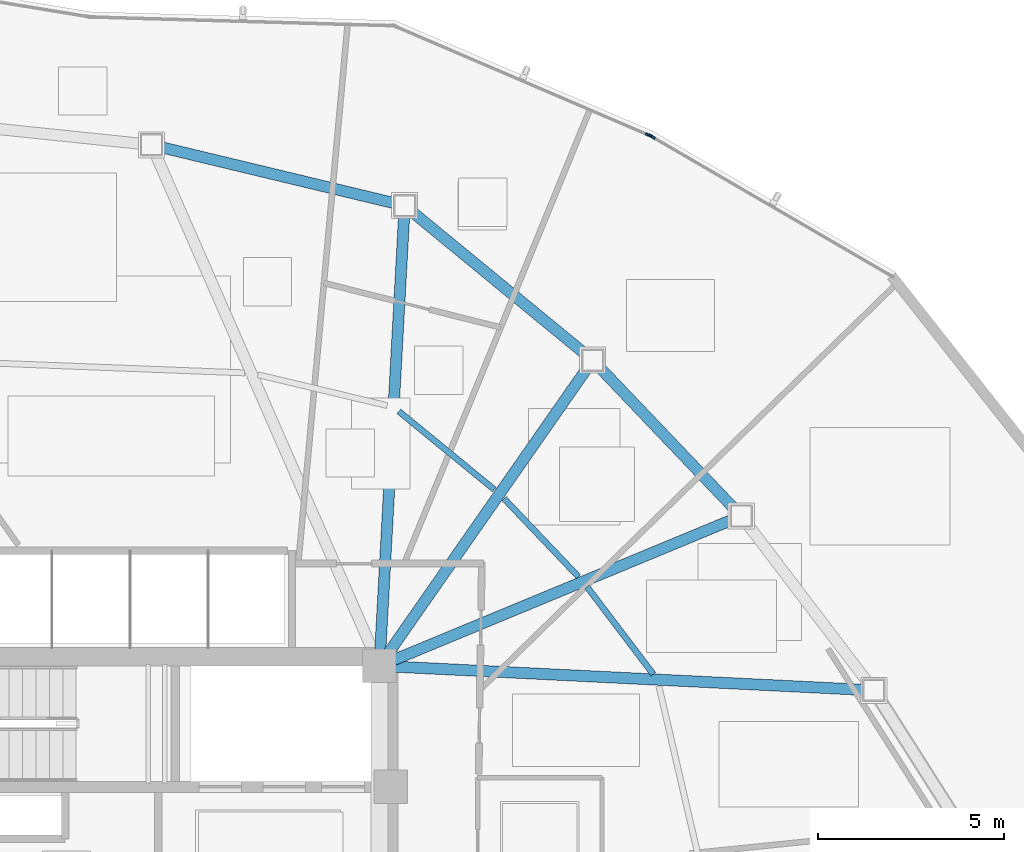
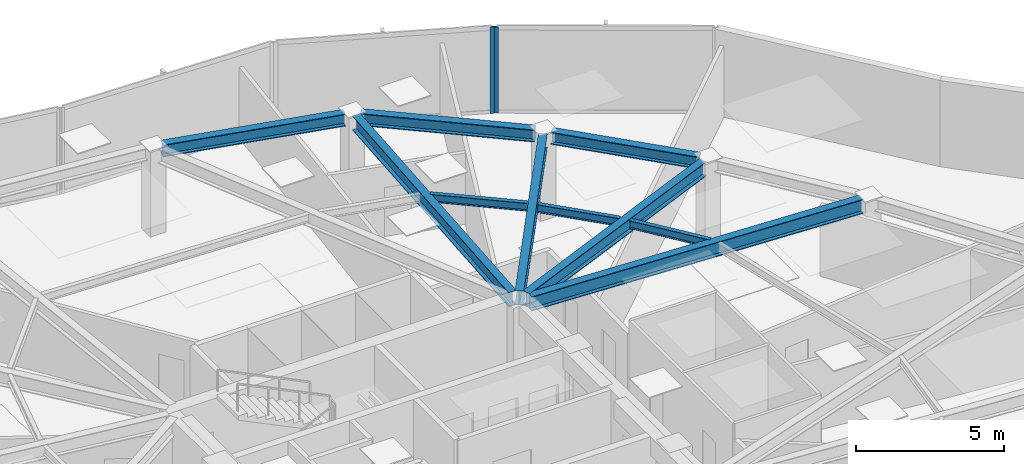
# One storey, part 8 of 18: 10 beams, 2 members, 2 elements without a shape of their own.
"""IFC4 building model written with IfcOpenShell, lengths in metres."""

from ifc_helpers import new_model, si_unit, direction, frame, origin, origin_2d, place, context, subcontext, project, spatial, hollow_rectangle, i_section, extrude, source, transform, mapped, material, layer, layer_set, material_profile, profile_set, type_object, type_shapes, element, aggregate, save


model = new_model("IFC4")

# Units and contexts
model_context = context("Model", 3, precision=1e-05, world=origin(), true_north=direction((0.0, 1.0)))
body_context = subcontext(model_context, "Body", "Model", "MODEL_VIEW")
ifc_project = project(units=[si_unit("LENGTHUNIT", "METRE"), si_unit("AREAUNIT", "SQUARE_METRE"), si_unit("VOLUMEUNIT", "CUBIC_METRE"), si_unit("PLANEANGLEUNIT", "RADIAN"), si_unit("MASSUNIT", "GRAM", prefix="KILO")], contexts=[model_context])

# Site, building, storey
site_placement = place(None, origin())
site = spatial("IfcSite", under=ifc_project, at=site_placement, CompositionType="ELEMENT")
building_placement = place(site_placement, origin())
building = spatial("IfcBuilding", under=site, at=building_placement, Name="Tavelor Broadcast Tower", CompositionType="ELEMENT")
storey_placement = place(building_placement, frame((0.0, 0.0, 173.35009765625)))
storey = spatial("IfcBuildingStorey", under=building, at=storey_placement, Name="L41", CompositionType="ELEMENT", Elevation=173.35009765625)

# Beams
ifc_material_1 = material(Name="Steel S355", Category="steel")
ifc_material_profile_1 = material_profile(ifc_material_1, i_section(OverallWidth=0.159912109375, OverallDepth=0.330078125, WebThickness=0.007568359375, FlangeThickness=0.011474609375, at=origin_2d()), Name="IPE 330")
ifc_profile_set_1 = profile_set([ifc_material_profile_1], Name="Steel S355")
beam_type_1 = type_object("IfcBeamType", Name="Composite Floor Joist T4 IPE 330", PredefinedType="JOIST", material=ifc_profile_set_1)
beam_1_placement = place(storey_placement, frame((63.959716796875, 50.9755859375, 3.385009765625), z_axis=(-0.604116162247, 0.796896268351, 0.0), x_axis=(-0.796896268351, -0.604116162247, 0.0)))
element("IfcBeam", 1, at=beam_1_placement, inside=storey, type_object=beam_type_1, Name="L41 Secondary Composite Floor Joist 14", PredefinedType="JOIST", context=body_context, shape_type="SweptSolid", body=[
    extrude(i_section(OverallWidth=0.159912109375, OverallDepth=0.330078125, WebThickness=0.007568359375, FlangeThickness=0.011474609375, at=origin_2d()), origin(), (0.0, 0.0, 1.0), 2.94580078125),
])
beam_2_placement = place(storey_placement, frame((61.946044921875, 53.59814453125, 3.385009765625), z_axis=(-0.689642531817, 0.724149969487, 0.0), x_axis=(-0.724149969487, -0.689642531817, 0.0)))
element("IfcBeam", 2, at=beam_2_placement, inside=storey, type_object=beam_type_1, Name="L41 Secondary Composite Floor Joist 15", PredefinedType="JOIST", context=body_context, shape_type="SweptSolid", body=[
    extrude(i_section(OverallWidth=0.159912109375, OverallDepth=0.330078125, WebThickness=0.007568359375, FlangeThickness=0.011474609375, at=origin_2d()), origin(), (0.0, 0.0, 1.0), 2.893798828125),
])
beam_3_placement = place(storey_placement, frame((59.685791015625, 55.939453125, 3.385009765625), z_axis=(-0.773655391446, 0.633606609251, 0.0), x_axis=(-0.633606609251, -0.773655391446, 0.0)))
element("IfcBeam", 3, at=beam_3_placement, inside=storey, type_object=beam_type_1, Name="L41 Secondary Composite Floor Joist 16", PredefinedType="JOIST", context=body_context, shape_type="SweptSolid", body=[
    extrude(i_section(OverallWidth=0.159912109375, OverallDepth=0.330078125, WebThickness=0.007568359375, FlangeThickness=0.011474609375, at=origin_2d()), origin(), (0.0, 0.0, 1.0), 3.315673828125),
])
ifc_material_profile_2 = material_profile(ifc_material_1, i_section(OverallWidth=0.300048828125, OverallDepth=0.5, WebThickness=0.014404296875, FlangeThickness=0.028076171875, at=origin_2d()), Name="HEB 500")
ifc_profile_set_2 = profile_set([ifc_material_profile_2], Name="Steel S355")
beam_type_2 = type_object("IfcBeamType", Name="Perimeter Spandrel Beam T4 HEB 500", PredefinedType="SPANDREL", material=ifc_profile_set_2)
beam_4_placement = place(storey_placement, frame((66.123291015625, 55.437255859375, 3.2998046875), z_axis=(-0.689936010055, 0.723870362723, 0.0), x_axis=(-0.723870362723, -0.689936010055, 0.0)))
element("IfcBeam", 4, at=beam_4_placement, inside=storey, type_object=beam_type_2, Name="L41 Framed-Tube Ring Spandrel 15", PredefinedType="SPANDREL", context=body_context, shape_type="SweptSolid", body=[
    extrude(i_section(OverallWidth=0.300048828125, OverallDepth=0.5, WebThickness=0.014404296875, FlangeThickness=0.028076171875, at=origin_2d()), origin(), (0.0, 0.0, 1.0), 5.208740234375),
])
beam_5_placement = place(storey_placement, frame((62.1083984375, 59.59912109375, 3.2998046875), z_axis=(-0.772717651191, 0.634749896839, 0.0), x_axis=(-0.634749896839, -0.772717651191, 0.0)))
element("IfcBeam", 5, at=beam_5_placement, inside=storey, type_object=beam_type_2, Name="L41 Framed-Tube Ring Spandrel 16", PredefinedType="SPANDREL", context=body_context, shape_type="SweptSolid", body=[
    extrude(i_section(OverallWidth=0.300048828125, OverallDepth=0.5, WebThickness=0.014404296875, FlangeThickness=0.028076171875, at=origin_2d()), origin(), (0.0, 0.0, 1.0), 5.965087890625),
])
beam_6_placement = place(storey_placement, frame((56.99658203125, 63.635498046875, 3.2998046875), z_axis=(-0.972354853411, 0.233508113452, 0.0), x_axis=(-0.233508113452, -0.972354853411, 0.0)))
element("IfcBeam", 6, at=beam_6_placement, inside=storey, type_object=beam_type_2, Name="L41 Framed-Tube Ring Spandrel 17", PredefinedType="SPANDREL", context=body_context, shape_type="SweptSolid", body=[
    extrude(i_section(OverallWidth=0.300048828125, OverallDepth=0.5, WebThickness=0.014404296875, FlangeThickness=0.028076171875, at=origin_2d()), origin(), (0.0, 0.0, 1.0), 6.421630859375),
])
ifc_material_profile_3 = material_profile(ifc_material_1, i_section(OverallWidth=0.300048828125, OverallDepth=0.590087890625, WebThickness=0.012939453125, FlangeThickness=0.02490234375, at=origin_2d()), Name="HEA 600")
ifc_profile_set_3 = profile_set([ifc_material_profile_3], Name="Steel S355")
beam_type_3 = type_object("IfcBeamType", Name="Radial Floor Girder T4 HEA 600", PredefinedType="BEAM", material=ifc_profile_set_3)
beam_7_placement = place(storey_placement, frame((57.031494140625, 51.1787109375, 3.2548828125), z_axis=(0.998783784198, -0.049304689662, 0.0), x_axis=(0.049304689662, 0.998783784198, 0.0)))
element("IfcBeam", 7, at=beam_7_placement, inside=storey, type_object=beam_type_3, Name="L41 Radial Primary Floor Girder 14", PredefinedType="BEAM", context=body_context, shape_type="SweptSolid", body=[
    extrude(i_section(OverallWidth=0.300048828125, OverallDepth=0.590087890625, WebThickness=0.012939453125, FlangeThickness=0.02490234375, at=origin_2d()), origin(), (0.0, 0.0, 1.0), 12.582275390625),
])
beam_8_placement = place(storey_placement, frame((56.9990234375, 51.365478515625, 3.2548828125), z_axis=(0.923827405628, 0.38280925356, 0.0), x_axis=(-0.38280925356, 0.923827405628, 0.0)))
element("IfcBeam", 8, at=beam_8_placement, inside=storey, type_object=beam_type_3, Name="L41 Radial Primary Floor Girder 15", PredefinedType="BEAM", context=body_context, shape_type="SweptSolid", body=[
    extrude(i_section(OverallWidth=0.300048828125, OverallDepth=0.590087890625, WebThickness=0.012939453125, FlangeThickness=0.02490234375, at=origin_2d()), origin(), (0.0, 0.0, 1.0), 9.8037109375),
])
beam_9_placement = place(storey_placement, frame((56.84716796875, 51.55419921875, 3.2548828125), z_axis=(0.572078083908, 0.820199162346, 0.0), x_axis=(-0.820199162346, 0.572078083908, 0.0)))
element("IfcBeam", 9, at=beam_9_placement, inside=storey, type_object=beam_type_3, Name="L41 Radial Primary Floor Girder 16", PredefinedType="BEAM", context=body_context, shape_type="SweptSolid", body=[
    extrude(i_section(OverallWidth=0.300048828125, OverallDepth=0.590087890625, WebThickness=0.012939453125, FlangeThickness=0.02490234375, at=origin_2d()), origin(), (0.0, 0.0, 1.0), 9.29736328125),
])
beam_10_placement = place(storey_placement, frame((56.62353515625, 51.63134765625, 3.2548828125), z_axis=(0.054637852805, 0.998506236856, 0.0), x_axis=(-0.998506236856, 0.054637852805, 0.0)))
element("IfcBeam", 10, at=beam_10_placement, inside=storey, type_object=beam_type_3, Name="L41 Radial Primary Floor Girder 17", PredefinedType="BEAM", context=body_context, shape_type="SweptSolid", body=[
    extrude(i_section(OverallWidth=0.300048828125, OverallDepth=0.590087890625, WebThickness=0.012939453125, FlangeThickness=0.02490234375, at=origin_2d()), origin(), (0.0, 0.0, 1.0), 11.666748046875),
])

# Curtain wall, member
ifc_material_2 = material(Name="Architectural Anodized Aluminium", Category="aluminium")
ifc_layer = layer(ifc_material_2, 0.18994140625)
ifc_layer_set = layer_set([ifc_layer], Name="Architectural Anodized Aluminium")
curtain_wall_type = type_object("IfcCurtainWallType", Name="Tower Mid-Zone Acoustic Curtain Wall CW03", PredefinedType="NOTDEFINED", material=ifc_layer_set)
curtain_wall_1_placement = place(storey_placement, origin())
curtain_wall_1 = element("IfcCurtainWall", 11, at=curtain_wall_1_placement, inside=storey, type_object=curtain_wall_type, Name="L41 Curtain Wall CW03 Run 441", PredefinedType="NOTDEFINED")
ifc_material_profile_4 = material_profile(ifc_material_2, hollow_rectangle(XDim=0.068115234375, YDim=0.18994140625, WallThickness=0.02197265625, at=origin_2d()), Name="RHS 68x190x22")
ifc_profile_set_4 = profile_set([ifc_material_profile_4], Name="Architectural Anodized Aluminium")
member_type = type_object("IfcMemberType", Name="CW03 Extruded Aluminium Mullion 68x190", PredefinedType="MULLION", material=ifc_profile_set_4)
shared_shape = source(origin(), body_context, "Body", "SweptSolid", [
    extrude(hollow_rectangle(XDim=0.068115234375, YDim=0.18994140625, WallThickness=0.02197265625, at=origin_2d()), origin(), (0.0, 0.0, 1.0), 3.5498046875),
])
type_shapes(member_type, [shared_shape])
member_1_placement = place(storey_placement, frame((63.92529296875, 65.4208984375, 0.0), z_axis=(0.0, 0.0, 1.0), x_axis=(-0.502638329431, -0.864496795707, 0.0)))
member_1 = element("IfcMember", 12, at=member_1_placement, type_object=member_type, Name="CW03 mullion 2", PredefinedType="MULLION", context=body_context, shape_type="MappedRepresentation", body=[
    mapped(shared_shape, transform((0.0, 0.0, 0.0), scale=1.0)),
])
aggregate(curtain_wall_1, [member_1])

curtain_wall_2_placement = place(storey_placement, origin())
curtain_wall_2 = element("IfcCurtainWall", 13, at=curtain_wall_2_placement, inside=storey, type_object=curtain_wall_type, Name="L41 Curtain Wall CW03 Run 442", PredefinedType="NOTDEFINED")
member_2_placement = place(storey_placement, frame((63.837890625, 65.464599609375, 0.0), z_axis=(0.0, 0.0, 1.0), x_axis=(-0.394342377913, -0.918963595025, 0.0)))
member_2 = element("IfcMember", 14, at=member_2_placement, type_object=member_type, Name="CW03 mullion 1", PredefinedType="MULLION", context=body_context, shape_type="MappedRepresentation", body=[
    mapped(shared_shape, transform((0.0, 0.0, 0.0), scale=1.0)),
])
aggregate(curtain_wall_2, [member_2])

save(model, "model.ifc")
